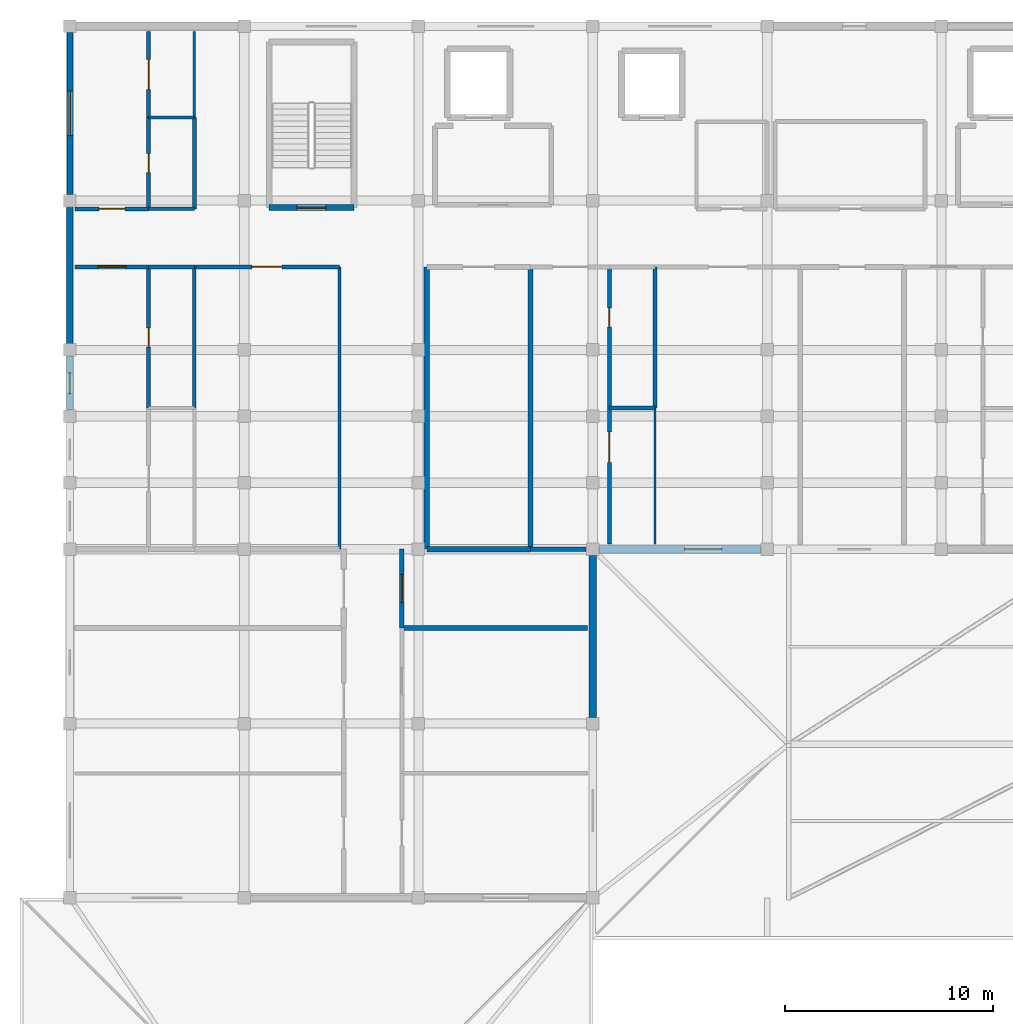
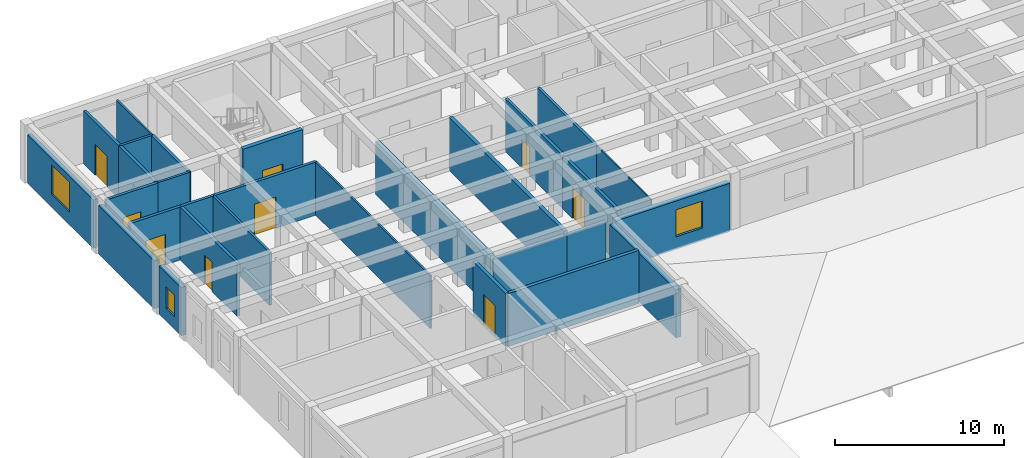
# One storey, part 15 of 42: 30 walls, 10 doors, 3 windows, 13 openings.
"""IFC4 building model written with IfcOpenShell, lengths in metres."""

from ifc_helpers import new_model, si_unit, direction, frame, frame_2d, origin, place, context, subcontext, project, spatial, rectangle, extrude, material, layer, layer_set, type_object, element, fill, save


model = new_model("IFC4")

# Units and contexts
model_context = context("Model", 3, precision=1e-05, world=origin(), true_north=direction((0.0, 1.0)))
body_context = subcontext(model_context, "Body", "Model", "MODEL_VIEW")
ifc_project = project(units=[si_unit("LENGTHUNIT", "METRE"), si_unit("AREAUNIT", "SQUARE_METRE"), si_unit("VOLUMEUNIT", "CUBIC_METRE"), si_unit("PLANEANGLEUNIT", "RADIAN"), si_unit("MASSUNIT", "GRAM", prefix="KILO")], contexts=[model_context])

# Site, building, storey
site_placement = place(None, origin())
site = spatial("IfcSite", under=ifc_project, at=site_placement, CompositionType="ELEMENT")
building_placement = place(site_placement, origin())
building = spatial("IfcBuilding", under=site, at=building_placement, Name="Varncliffe General Hospital", CompositionType="ELEMENT")
storey_placement = place(building_placement, frame((0.0, 0.0, 20.39990234375)))
storey = spatial("IfcBuildingStorey", under=building, at=storey_placement, Name="L04", CompositionType="ELEMENT", Elevation=20.39990234375)

# Wall
ifc_material_1 = material(Name="Precast concrete C40/50 with insulated cream lime-cement stucco", Category="concrete")
ifc_layer_1 = layer(ifc_material_1, 0.31005859375)
ifc_layer_set_1 = layer_set([ifc_layer_1], Name="Precast concrete C40/50 with insulated cream lime-cement stucco")
wall_type_1 = type_object("IfcWallType", Name="Exterior Insulated Stucco Wall EW20 (310mm)", PredefinedType="SOLIDWALL", material=ifc_layer_set_1)
wall_1_placement = place(storey_placement, frame((0.0, 109.498046875, 0.0), z_axis=(0.0, 0.0, 1.0), x_axis=(0.0, 1.0, 0.0)))
element("IfcWall", 1, at=wall_1_placement, inside=storey, type_object=wall_type_1, Name="L04 Exterior Stucco Wall EW20-345", PredefinedType="SOLIDWALL", context=body_context, shape_type="SweptSolid", body=[
    extrude(rectangle(XDim=6.60400390625, YDim=0.31005859375, at=frame_2d((3.302001953125, 0.0))), origin(), (0.0, 0.0, 1.0), 3.47998046875),
])

# Wall, opening, window
ifc_layer_2 = layer(ifc_material_1, 0.3798828125)
ifc_layer_set_2 = layer_set([ifc_layer_2], Name="Precast concrete C40/50 with insulated cream lime-cement stucco")
wall_type_2 = type_object("IfcWallType", Name="Exterior Insulated Stucco Wall EW26 (380mm)", PredefinedType="SOLIDWALL", material=ifc_layer_set_2)
wall_2_placement = place(storey_placement, frame((33.302001953125, 99.60009765625, 0.0), z_axis=(0.0, 0.0, 1.0), x_axis=(-1.0, 0.0, 0.0)))
wall_2 = element("IfcWall", 2, at=wall_2_placement, inside=storey, type_object=wall_type_2, Name="L04 Exterior Stucco Wall EW26-334", PredefinedType="SOLIDWALL", context=body_context, shape_type="SweptSolid", body=[
    extrude(rectangle(XDim=7.803955078125, YDim=0.3798828125, at=frame_2d((3.90185546875, 0.0))), origin(), (0.0, 0.0, 1.0), 3.47998046875),
])
opening_1_placement = place(wall_2_placement, frame((1.879150390625, 0.0, 0.89990234375)))
opening_1 = element("IfcOpeningElement", 3, at=opening_1_placement, cuts=wall_2, Name="Opening WN78", PredefinedType="OPENING", context=body_context, shape_type="SweptSolid", body=[
    extrude(rectangle(XDim=1.800048828125, YDim=1.949951171875, at=frame_2d((0.89990234375, 0.97509765625))), frame((0.0, 0.199951171875, 0.0), z_axis=(0.0, -1.0, 0.0), x_axis=(1.0, 0.0, 0.0)), (0.0, 0.0, 1.0), 0.39990234375),
])
ifc_material_2 = material(Name="Triple low-E argon insulated vision glazing", Category="glass")
window_type_1 = type_object("IfcWindowType", Name="Triple-Glazed Hospital Window WN78 (1800x1950)", PartitioningType="DOUBLE_PANEL_VERTICAL", PredefinedType="WINDOW", material=ifc_material_2)
window_1_placement = place(opening_1_placement, origin())
window_1 = element("IfcWindow", 4, at=window_1_placement, inside=storey, type_object=window_type_1, Name="L04 Hospital Window WN78-248", OverallHeight=1.949951171875, OverallWidth=1.800048828125, PartitioningType="DOUBLE_PANEL_VERTICAL", PredefinedType="WINDOW", context=body_context, shape_type="SweptSolid", body=[
    extrude(rectangle(XDim=1.800048828125, YDim=1.949951171875, at=frame_2d((0.89990234375, 0.97509765625))), frame((0.0, 0.030029296875, 0.0), z_axis=(0.0, -1.0, 0.0), x_axis=(1.0, 0.0, 0.0)), (0.0, 0.0, 1.0), 0.06005859375),
])
fill(opening_1, window_1)

ifc_layer_3 = layer(ifc_material_1, 0.2900390625)
ifc_layer_set_3 = layer_set([ifc_layer_3], Name="Precast concrete C40/50 with insulated cream lime-cement stucco")
wall_type_3 = type_object("IfcWallType", Name="Exterior Insulated Stucco Wall EW31 (290mm)", PredefinedType="SOLIDWALL", material=ifc_layer_set_3)
wall_3_placement = place(storey_placement, frame((0.0, 116.697998046875, 0.0), z_axis=(0.0, 0.0, 1.0), x_axis=(0.0, 1.0, 0.0)))
wall_3 = element("IfcWall", 5, at=wall_3_placement, inside=storey, type_object=wall_type_3, Name="L04 Exterior Stucco Wall EW31-346", PredefinedType="SOLIDWALL", context=body_context, shape_type="SweptSolid", body=[
    extrude(rectangle(XDim=7.803955078125, YDim=0.2900390625, at=frame_2d((3.90185546875, 0.0))), origin(), (0.0, 0.0, 1.0), 3.47998046875),
])
opening_2_placement = place(wall_3_placement, frame((2.826904296875, 0.0, 0.89990234375)))
opening_2 = element("IfcOpeningElement", 6, at=opening_2_placement, cuts=wall_3, Name="Opening WN57", PredefinedType="OPENING", context=body_context, shape_type="SweptSolid", body=[
    extrude(rectangle(XDim=2.14990234375, YDim=2.14990234375, at=frame_2d((1.074951171875, 1.074951171875))), frame((0.0, 0.155029296875, 0.0), z_axis=(0.0, -1.0, 0.0), x_axis=(1.0, 0.0, 0.0)), (0.0, 0.0, 1.0), 0.31005859375),
])
window_type_2 = type_object("IfcWindowType", Name="Triple-Glazed Hospital Window WN57 (2150x2150)", PartitioningType="DOUBLE_PANEL_VERTICAL", PredefinedType="WINDOW", material=ifc_material_2)
window_2_placement = place(opening_2_placement, origin())
window_2 = element("IfcWindow", 7, at=window_2_placement, inside=storey, type_object=window_type_2, Name="L04 Hospital Window WN57-257", OverallHeight=2.14990234375, OverallWidth=2.14990234375, PartitioningType="DOUBLE_PANEL_VERTICAL", PredefinedType="WINDOW", context=body_context, shape_type="SweptSolid", body=[
    extrude(rectangle(XDim=2.14990234375, YDim=2.14990234375, at=frame_2d((1.074951171875, 1.074951171875))), frame((0.0, 0.030029296875, 0.0), z_axis=(0.0, -1.0, 0.0), x_axis=(1.0, 0.0, 0.0)), (0.0, 0.0, 1.0), 0.06005859375),
])
fill(opening_2, window_2)

ifc_layer_4 = layer(ifc_material_1, 0.330078125)
ifc_layer_set_4 = layer_set([ifc_layer_4], Name="Precast concrete C40/50 with insulated cream lime-cement stucco")
wall_type_4 = type_object("IfcWallType", Name="Exterior Insulated Stucco Wall EW33 (330mm)", PredefinedType="SOLIDWALL", material=ifc_layer_set_4)
wall_4_placement = place(storey_placement, frame((0.0, 106.298095703125, 0.0), z_axis=(0.0, 0.0, 1.0), x_axis=(0.0, 1.0, 0.0)))
wall_4 = element("IfcWall", 8, at=wall_4_placement, inside=storey, type_object=wall_type_4, Name="L04 Exterior Stucco Wall EW33-344", PredefinedType="SOLIDWALL", context=body_context, shape_type="SweptSolid", body=[
    extrude(rectangle(XDim=2.60400390625, YDim=0.330078125, at=frame_2d((1.302001953125, 0.0))), origin(), (0.0, 0.0, 1.0), 3.47998046875),
])
opening_3_placement = place(wall_4_placement, frame((0.802001953125, 0.0, 0.89990234375)))
opening_3 = element("IfcOpeningElement", 9, at=opening_3_placement, cuts=wall_4, Name="Opening WN21", PredefinedType="OPENING", context=body_context, shape_type="SweptSolid", body=[
    extrude(rectangle(XDim=1.0, YDim=1.550048828125, at=frame_2d((0.5, 0.77490234375))), frame((0.0, 0.175048828125, 0.0), z_axis=(0.0, -1.0, 0.0), x_axis=(1.0, 0.0, 0.0)), (0.0, 0.0, 1.0), 0.35009765625),
])
window_type_3 = type_object("IfcWindowType", Name="Triple-Glazed Hospital Window WN21 (1000x1550)", PartitioningType="SINGLE_PANEL", PredefinedType="WINDOW", material=ifc_material_2)
window_3_placement = place(opening_3_placement, origin())
window_3 = element("IfcWindow", 10, at=window_3_placement, inside=storey, type_object=window_type_3, Name="L04 Hospital Window WN21-256", OverallHeight=1.550048828125, OverallWidth=1.0, PartitioningType="SINGLE_PANEL", PredefinedType="WINDOW", context=body_context, shape_type="SweptSolid", body=[
    extrude(rectangle(XDim=1.0, YDim=1.550048828125, at=frame_2d((0.5, 0.77490234375))), frame((0.0, 0.030029296875, 0.0), z_axis=(0.0, -1.0, 0.0), x_axis=(1.0, 0.0, 0.0)), (0.0, 0.0, 1.0), 0.06005859375),
])
fill(opening_3, window_3)

# Walls
ifc_layer_5 = layer(ifc_material_1, 0.35009765625)
ifc_layer_set_5 = layer_set([ifc_layer_5], Name="Precast concrete C40/50 with insulated cream lime-cement stucco")
wall_type_5 = type_object("IfcWallType", Name="Exterior Insulated Stucco Wall EW37 (350mm)", PredefinedType="SOLIDWALL", material=ifc_layer_set_5)
wall_5_placement = place(storey_placement, frame((25.199951171875, 99.302001953125, 0.0), z_axis=(0.0, 0.0, 1.0), x_axis=(0.0, -1.0, 0.0)))
element("IfcWall", 11, at=wall_5_placement, inside=storey, type_object=wall_type_5, Name="L04 Exterior Stucco Wall EW37-335", PredefinedType="SOLIDWALL", context=body_context, shape_type="SweptSolid", body=[
    extrude(rectangle(XDim=7.803955078125, YDim=0.35009765625, at=frame_2d((3.90185546875, 0.0))), origin(), (0.0, 0.0, 1.0), 3.47998046875),
])
ifc_material_3 = material(Name="Acoustic clinical gypsum stud partition assembly", Category="gypsum")
ifc_layer_6 = layer(ifc_material_3, 0.1298828125)
ifc_layer_set_6 = layer_set([ifc_layer_6], Name="Acoustic clinical gypsum stud partition assembly")
wall_type_6 = type_object("IfcWallType", Name="Interior Partitioning IW11 (130mm)", PredefinedType="PARTITIONING", material=ifc_layer_set_6)
wall_6_placement = place(storey_placement, frame((13.0, 99.60009765625, 0.0), z_axis=(0.0, 0.0, 1.0), x_axis=(0.0, 1.0, 0.0)))
element("IfcWall", 12, at=wall_6_placement, inside=storey, type_object=wall_type_6, Name="L04 Interior Partition Wall IW11-1848", PredefinedType="PARTITIONING", context=body_context, shape_type="SweptSolid", body=[
    extrude(rectangle(XDim=13.599853515625, YDim=0.1298828125, at=frame_2d((6.7998046875, 0.0))), origin(), (0.0, 0.0, 1.0), 3.820068359375),
])
ifc_layer_7 = layer(ifc_material_3, 0.090087890625)
ifc_layer_set_7 = layer_set([ifc_layer_7], Name="Acoustic clinical gypsum stud partition assembly")
wall_type_7 = type_object("IfcWallType", Name="Interior Partitioning IW42 (90mm)", PredefinedType="PARTITIONING", material=ifc_layer_set_7)
wall_7_placement = place(storey_placement, frame((28.199951171875, 99.860107421875, 0.0), z_axis=(0.0, 0.0, 1.0), x_axis=(0.0, 1.0, 0.0)))
element("IfcWall", 13, at=wall_7_placement, inside=storey, type_object=wall_type_7, Name="L04 Interior Partition Wall IW42-1861", PredefinedType="PARTITIONING", context=body_context, shape_type="SweptSolid", body=[
    extrude(rectangle(XDim=6.539794921875, YDim=0.090087890625, at=frame_2d((3.27001953125, 0.0))), origin(), (0.0, 0.0, 1.0), 3.820068359375),
])
ifc_layer_8 = layer(ifc_material_3, 0.110107421875)
ifc_layer_set_8 = layer_set([ifc_layer_8], Name="Acoustic clinical gypsum stud partition assembly")
wall_type_8 = type_object("IfcWallType", Name="Interior Partitioning IW65 (110mm)", PredefinedType="PARTITIONING", material=ifc_layer_set_8)
wall_8_placement = place(storey_placement, frame((6.0, 120.39990234375, 0.0), z_axis=(0.0, 0.0, 1.0), x_axis=(0.0, 1.0, 0.0)))
element("IfcWall", 14, at=wall_8_placement, inside=storey, type_object=wall_type_8, Name="L04 Interior Partition Wall IW65-1847", PredefinedType="PARTITIONING", context=body_context, shape_type="SweptSolid", body=[
    extrude(rectangle(XDim=4.14013671875, YDim=0.110107421875, at=frame_2d((2.070068359375, 0.0))), origin(), (0.0, 0.0, 1.0), 3.820068359375),
])
ifc_material_4 = material(Name="Fire-rated gypsum and mineral-wool partition assembly", Category="gypsum")
ifc_layer_9 = layer(ifc_material_4, 0.25)
ifc_layer_set_9 = layer_set([ifc_layer_9], Name="Fire-rated gypsum and mineral-wool partition assembly")
wall_type_9 = type_object("IfcWallType", Name="Interior Partitioning PW38 (250mm)", PredefinedType="PARTITIONING", material=ifc_layer_set_9)
wall_9_placement = place(storey_placement, frame((17.199951171875, 99.60009765625, 0.0), z_axis=(0.0, 0.0, 1.0), x_axis=(1.0, 0.0, 0.0)))
element("IfcWall", 15, at=wall_9_placement, inside=storey, type_object=wall_type_9, Name="L04 Interior Partition Wall PW38-1739", PredefinedType="PARTITIONING", context=body_context, shape_type="SweptSolid", body=[
    extrude(rectangle(XDim=5.0, YDim=0.25, at=frame_2d((2.5, 0.0))), origin(), (0.0, 0.0, 1.0), 3.585205078125),
])
for number, where, z_axis, x_axis, name in (
    (16, (17.199951171875, 99.60009765625, 0.0), (0.0, 0.0, 1.0), (0.0, 1.0, 0.0), "L04 Interior Partition Wall PW38-1855"),
    (17, (22.199951171875, 99.60009765625, 0.0), (0.0, 0.0, 1.0), (0.0, 1.0, 0.0), "L04 Interior Partition Wall PW38-1857"),
):
    element("IfcWall", number, at=place(storey_placement, frame(where, z_axis=z_axis, x_axis=x_axis)), inside=storey, type_object=wall_type_9, Name=name, PredefinedType="PARTITIONING", context=body_context, shape_type="SweptSolid", body=[
        extrude(rectangle(XDim=13.599853515625, YDim=0.25, at=frame_2d((6.7998046875, 0.0))), origin(), (0.0, 0.0, 1.0), 3.820068359375),
    ])
ifc_layer_10 = layer(ifc_material_4, 0.22998046875)
ifc_layer_set_10 = layer_set([ifc_layer_10], Name="Fire-rated gypsum and mineral-wool partition assembly")
wall_type_10 = type_object("IfcWallType", Name="Interior Partitioning PW48 (230mm)", PredefinedType="PARTITIONING", material=ifc_layer_set_10)
wall_10_placement = place(storey_placement, frame((16.0, 95.800048828125, 0.0), z_axis=(0.0, 0.0, 1.0), x_axis=(1.0, 0.0, 0.0)))
element("IfcWall", 18, at=wall_10_placement, inside=storey, type_object=wall_type_10, Name="L04 Interior Partition Wall PW48-1732", PredefinedType="PARTITIONING", context=body_context, shape_type="SweptSolid", body=[
    extrude(rectangle(XDim=8.93994140625, YDim=0.22998046875, at=frame_2d((4.469970703125, 0.0))), origin(), (0.0, 0.0, 1.0), 3.820068359375),
])
wall_11_placement = place(storey_placement, frame((22.199951171875, 99.60009765625, 0.0), z_axis=(0.0, 0.0, 1.0), x_axis=(1.0, 0.0, 0.0)))
element("IfcWall", 19, at=wall_11_placement, inside=storey, type_object=wall_type_10, Name="L04 Interior Partition Wall PW48-1740", PredefinedType="PARTITIONING", context=body_context, shape_type="SweptSolid", body=[
    extrude(rectangle(XDim=2.68505859375, YDim=0.22998046875, at=frame_2d((1.342529296875, 0.0))), origin(), (0.0, 0.0, 1.0), 3.585205078125),
])

# Wall, opening, door
wall_12_placement = place(storey_placement, frame((16.0, 95.800048828125, 0.0), z_axis=(0.0, 0.0, 1.0), x_axis=(0.0, 1.0, 0.0)))
wall_12 = element("IfcWall", 20, at=wall_12_placement, inside=storey, type_object=wall_type_10, Name="L04 Interior Partition Wall PW48-1854", PredefinedType="PARTITIONING", context=body_context, shape_type="SweptSolid", body=[
    extrude(rectangle(XDim=3.800048828125, YDim=0.22998046875, at=frame_2d((1.89990234375, 0.0))), origin(), (0.0, 0.0, 1.0), 3.820068359375),
])
opening_4_placement = place(wall_12_placement, frame((1.22509765625, 0.0, 0.0)))
opening_4 = element("IfcOpeningElement", 21, at=opening_4_placement, cuts=wall_12, Name="Opening DC85", PredefinedType="OPENING", context=body_context, shape_type="SweptSolid", body=[
    extrude(rectangle(XDim=1.35009765625, YDim=2.199951171875, at=frame_2d((0.675048828125, 1.10009765625))), frame((0.0, 0.125, 0.0), z_axis=(0.0, -1.0, 0.0), x_axis=(1.0, 0.0, 0.0)), (0.0, 0.0, 1.0), 0.25),
])
ifc_material_5 = material(Name="Fire-rated hospital steel-frame vision-panel door", Category="steel")
door_type_1 = type_object("IfcDoorType", Name="Interior Hospital Door DC85 (1350x2200)", OperationType="NOTDEFINED", PredefinedType="DOOR", material=ifc_material_5)
door_1_placement = place(opening_4_placement, frame((1.35009765625, 0.0, 0.0), z_axis=(0.0, 0.0, 1.0), x_axis=(-1.0, 0.0, 0.0)))
door_1 = element("IfcDoor", 22, at=door_1_placement, inside=storey, type_object=door_type_1, Name="L04 Ward Soiled Utility Store 128 Door", OperationType="SINGLE_SWING_LEFT", OverallHeight=2.199951171875, OverallWidth=1.35009765625, PredefinedType="DOOR", context=body_context, shape_type="SweptSolid", body=[
    extrude(rectangle(XDim=1.35009765625, YDim=2.199951171875, at=frame_2d((0.675048828125, 1.10009765625))), frame((0.0, 0.02490234375, 0.0), z_axis=(0.0, -1.0, 0.0), x_axis=(1.0, 0.0, 0.0)), (0.0, 0.0, 1.0), 0.050048828125),
])
fill(opening_4, door_1)

ifc_layer_11 = layer(ifc_material_4, 0.199951171875)
ifc_layer_set_11 = layer_set([ifc_layer_11], Name="Fire-rated gypsum and mineral-wool partition assembly")
wall_type_11 = type_object("IfcWallType", Name="Interior Partitioning PW63 (200mm)", PredefinedType="PARTITIONING", material=ifc_layer_set_11)
wall_13_placement = place(storey_placement, frame((0.260009765625, 113.199951171875, 0.0), z_axis=(0.0, 0.0, 1.0), x_axis=(1.0, 0.0, 0.0)))
wall_13 = element("IfcWall", 23, at=wall_13_placement, inside=storey, type_object=wall_type_11, Name="L04 Interior Partition Wall PW63-1785", PredefinedType="PARTITIONING", context=body_context, shape_type="SweptSolid", body=[
    extrude(rectangle(XDim=3.5400390625, YDim=0.199951171875, at=frame_2d((1.77001953125, 0.0))), origin(), (0.0, 0.0, 1.0), 3.820068359375),
])
opening_5_placement = place(wall_13_placement, frame((1.094970703125, 0.0, 0.0)))
opening_5 = element("IfcOpeningElement", 24, at=opening_5_placement, cuts=wall_13, Name="Opening DC85", PredefinedType="OPENING", context=body_context, shape_type="SweptSolid", body=[
    extrude(rectangle(XDim=1.35009765625, YDim=2.199951171875, at=frame_2d((0.675048828125, 1.10009765625))), frame((0.0, 0.10986328125, 0.0), z_axis=(0.0, -1.0, 0.0), x_axis=(1.0, 0.0, 0.0)), (0.0, 0.0, 1.0), 0.219970703125),
])
door_2_placement = place(opening_5_placement, frame((1.35009765625, 0.0, 0.0), z_axis=(0.0, 0.0, 1.0), x_axis=(-1.0, 0.0, 0.0)))
door_2 = element("IfcDoor", 25, at=door_2_placement, inside=storey, type_object=door_type_1, Name="L04 Cardiology Telemetry Inpatient Room 79 Door", OperationType="SINGLE_SWING_LEFT", OverallHeight=2.199951171875, OverallWidth=1.35009765625, PredefinedType="DOOR", context=body_context, shape_type="SweptSolid", body=[
    extrude(rectangle(XDim=1.35009765625, YDim=2.199951171875, at=frame_2d((0.675048828125, 1.10009765625))), frame((0.0, 0.02490234375, 0.0), z_axis=(0.0, -1.0, 0.0), x_axis=(1.0, 0.0, 0.0)), (0.0, 0.0, 1.0), 0.050048828125),
])
fill(opening_5, door_2)

wall_14_placement = place(storey_placement, frame((6.0, 113.199951171875, 0.0), z_axis=(0.0, 0.0, 1.0), x_axis=(1.0, 0.0, 0.0)))
wall_14 = element("IfcWall", 26, at=wall_14_placement, inside=storey, type_object=wall_type_11, Name="L04 Interior Partition Wall PW63-1787", PredefinedType="PARTITIONING", context=body_context, shape_type="SweptSolid", body=[
    extrude(rectangle(XDim=7.0, YDim=0.199951171875, at=frame_2d((3.5, 0.0))), origin(), (0.0, 0.0, 1.0), 3.820068359375),
])
opening_6_placement = place(wall_14_placement, frame((2.77490234375, 0.0, 0.0)))
opening_6 = element("IfcOpeningElement", 27, at=opening_6_placement, cuts=wall_14, Name="Opening DC66", PredefinedType="OPENING", context=body_context, shape_type="SweptSolid", body=[
    extrude(rectangle(XDim=1.449951171875, YDim=2.25, at=frame_2d((0.72509765625, 1.125))), frame((0.0, 0.10986328125, 0.0), z_axis=(0.0, -1.0, 0.0), x_axis=(1.0, 0.0, 0.0)), (0.0, 0.0, 1.0), 0.219970703125),
])
door_type_2 = type_object("IfcDoorType", Name="Interior Hospital Door DC66 (1450x2250)", OperationType="NOTDEFINED", PredefinedType="DOOR", material=ifc_material_5)
door_3_placement = place(opening_6_placement, frame((1.449951171875, 0.0, 0.0), z_axis=(0.0, 0.0, 1.0), x_axis=(-1.0, 0.0, 0.0)))
door_3 = element("IfcDoor", 28, at=door_3_placement, inside=storey, type_object=door_type_2, Name="L04 Telemetry Central Monitoring Station 82 Door", OperationType="SINGLE_SWING_RIGHT", OverallHeight=2.25, OverallWidth=1.449951171875, PredefinedType="DOOR", context=body_context, shape_type="SweptSolid", body=[
    extrude(rectangle(XDim=1.449951171875, YDim=2.25, at=frame_2d((0.72509765625, 1.125))), frame((0.0, 0.02490234375, 0.0), z_axis=(0.0, -1.0, 0.0), x_axis=(1.0, 0.0, 0.0)), (0.0, 0.0, 1.0), 0.050048828125),
])
fill(opening_6, door_3)

wall_15_placement = place(storey_placement, frame((0.260009765625, 116.0, 0.0), z_axis=(0.0, 0.0, 1.0), x_axis=(1.0, 0.0, 0.0)))
wall_15 = element("IfcWall", 29, at=wall_15_placement, inside=storey, type_object=wall_type_11, Name="L04 Interior Partition Wall PW63-1810", PredefinedType="PARTITIONING", context=body_context, shape_type="SweptSolid", body=[
    extrude(rectangle(XDim=3.5400390625, YDim=0.199951171875, at=frame_2d((1.77001953125, 0.0))), origin(), (0.0, 0.0, 1.0), 3.820068359375),
])
opening_7_placement = place(wall_15_placement, frame((1.14501953125, 0.0, 0.0)))
opening_7 = element("IfcOpeningElement", 30, at=opening_7_placement, cuts=wall_15, Name="Opening DC44", PredefinedType="OPENING", context=body_context, shape_type="SweptSolid", body=[
    extrude(rectangle(XDim=1.25, YDim=2.14990234375, at=frame_2d((0.625, 1.074951171875))), frame((0.0, 0.10986328125, 0.0), z_axis=(0.0, -1.0, 0.0), x_axis=(1.0, 0.0, 0.0)), (0.0, 0.0, 1.0), 0.219970703125),
])
door_type_3 = type_object("IfcDoorType", Name="Interior Hospital Door DC44 (1250x2150)", OperationType="NOTDEFINED", PredefinedType="DOOR", material=ifc_material_5)
door_4_placement = place(opening_7_placement, origin())
door_4 = element("IfcDoor", 31, at=door_4_placement, inside=storey, type_object=door_type_3, Name="L04 Cardiology Telemetry Inpatient Room 110 Door", OperationType="SINGLE_SWING_RIGHT", OverallHeight=2.14990234375, OverallWidth=1.25, PredefinedType="DOOR", context=body_context, shape_type="SweptSolid", body=[
    extrude(rectangle(XDim=1.25, YDim=2.14990234375, at=frame_2d((0.625, 1.074951171875))), frame((0.0, 0.02490234375, 0.0), z_axis=(0.0, -1.0, 0.0), x_axis=(1.0, 0.0, 0.0)), (0.0, 0.0, 1.0), 0.050048828125),
])
fill(opening_7, door_4)

wall_16_placement = place(storey_placement, frame((3.800048828125, 106.39990234375, 0.0), z_axis=(0.0, 0.0, 1.0), x_axis=(0.0, 1.0, 0.0)))
wall_16 = element("IfcWall", 32, at=wall_16_placement, inside=storey, type_object=wall_type_11, Name="L04 Interior Partition Wall PW63-1841", PredefinedType="PARTITIONING", context=body_context, shape_type="SweptSolid", body=[
    extrude(rectangle(XDim=6.800048828125, YDim=0.199951171875, at=frame_2d((3.39990234375, 0.0))), origin(), (0.0, 0.0, 1.0), 3.820068359375),
])
opening_8_placement = place(wall_16_placement, frame((2.93994140625, 0.0, 0.0)))
opening_8 = element("IfcOpeningElement", 33, at=opening_8_placement, cuts=wall_16, Name="Opening DI70", PredefinedType="OPENING", context=body_context, shape_type="SweptSolid", body=[
    extrude(rectangle(XDim=0.919921875, YDim=2.10009765625, at=frame_2d((0.4599609375, 1.050048828125))), frame((0.0, 0.10986328125, 0.0), z_axis=(0.0, -1.0, 0.0), x_axis=(1.0, 0.0, 0.0)), (0.0, 0.0, 1.0), 0.219970703125),
])
ifc_material_6 = material(Name="Solid-core antimicrobial hospital oak veneer door", Category="wood")
door_type_4 = type_object("IfcDoorType", Name="Interior Hospital Door DI70 (920x2100)", OperationType="NOTDEFINED", PredefinedType="DOOR", material=ifc_material_6)
door_5_placement = place(opening_8_placement, frame((0.919921875, 0.0, 0.0), z_axis=(0.0, 0.0, 1.0), x_axis=(-1.0, 0.0, 0.0)))
door_5 = element("IfcDoor", 34, at=door_5_placement, inside=storey, type_object=door_type_4, Name="L04 En-Suite Bathroom 80 Door", OperationType="SINGLE_SWING_LEFT", OverallHeight=2.10009765625, OverallWidth=0.919921875, PredefinedType="DOOR", context=body_context, shape_type="SweptSolid", body=[
    extrude(rectangle(XDim=0.919921875, YDim=2.10009765625, at=frame_2d((0.4599609375, 1.050048828125))), frame((0.0, 0.02490234375, 0.0), z_axis=(0.0, -1.0, 0.0), x_axis=(1.0, 0.0, 0.0)), (0.0, 0.0, 1.0), 0.050048828125),
])
fill(opening_8, door_5)

wall_17_placement = place(storey_placement, frame((3.800048828125, 116.0, 0.0), z_axis=(0.0, 0.0, 1.0), x_axis=(0.0, 1.0, 0.0)))
wall_17 = element("IfcWall", 35, at=wall_17_placement, inside=storey, type_object=wall_type_11, Name="L04 Interior Partition Wall PW63-1842", PredefinedType="PARTITIONING", context=body_context, shape_type="SweptSolid", body=[
    extrude(rectangle(XDim=4.39990234375, YDim=0.199951171875, at=frame_2d((2.199951171875, 0.0))), origin(), (0.0, 0.0, 1.0), 3.820068359375),
])
opening_9_placement = place(wall_17_placement, frame((1.739990234375, 0.0, 0.0)))
opening_9 = element("IfcOpeningElement", 36, at=opening_9_placement, cuts=wall_17, Name="Opening DI70", PredefinedType="OPENING", context=body_context, shape_type="SweptSolid", body=[
    extrude(rectangle(XDim=0.919921875, YDim=2.10009765625, at=frame_2d((0.4599609375, 1.050048828125))), frame((0.0, 0.10986328125, 0.0), z_axis=(0.0, -1.0, 0.0), x_axis=(1.0, 0.0, 0.0)), (0.0, 0.0, 1.0), 0.219970703125),
])
door_6_placement = place(opening_9_placement, frame((0.919921875, 0.0, 0.0), z_axis=(0.0, 0.0, 1.0), x_axis=(-1.0, 0.0, 0.0)))
door_6 = element("IfcDoor", 37, at=door_6_placement, inside=storey, type_object=door_type_4, Name="L04 En-Suite Bathroom 111 Door", OperationType="SINGLE_SWING_RIGHT", OverallHeight=2.10009765625, OverallWidth=0.919921875, PredefinedType="DOOR", context=body_context, shape_type="SweptSolid", body=[
    extrude(rectangle(XDim=0.919921875, YDim=2.10009765625, at=frame_2d((0.4599609375, 1.050048828125))), frame((0.0, 0.02490234375, 0.0), z_axis=(0.0, -1.0, 0.0), x_axis=(1.0, 0.0, 0.0)), (0.0, 0.0, 1.0), 0.050048828125),
])
fill(opening_9, door_6)

wall_18_placement = place(storey_placement, frame((3.800048828125, 120.39990234375, 0.0), z_axis=(0.0, 0.0, 1.0), x_axis=(0.0, 1.0, 0.0)))
wall_18 = element("IfcWall", 38, at=wall_18_placement, inside=storey, type_object=wall_type_11, Name="L04 Interior Partition Wall PW63-1843", PredefinedType="PARTITIONING", context=body_context, shape_type="SweptSolid", body=[
    extrude(rectangle(XDim=4.14013671875, YDim=0.199951171875, at=frame_2d((2.070068359375, 0.0))), origin(), (0.0, 0.0, 1.0), 3.820068359375),
])
opening_10_placement = place(wall_18_placement, frame((1.344970703125, 0.0, 0.0)))
opening_10 = element("IfcOpeningElement", 39, at=opening_10_placement, cuts=wall_18, Name="Opening DC66", PredefinedType="OPENING", context=body_context, shape_type="SweptSolid", body=[
    extrude(rectangle(XDim=1.449951171875, YDim=2.25, at=frame_2d((0.72509765625, 1.125))), frame((0.0, 0.10986328125, 0.0), z_axis=(0.0, -1.0, 0.0), x_axis=(1.0, 0.0, 0.0)), (0.0, 0.0, 1.0), 0.219970703125),
])
door_7_placement = place(opening_10_placement, frame((1.449951171875, 0.0, 0.0), z_axis=(0.0, 0.0, 1.0), x_axis=(-1.0, 0.0, 0.0)))
door_7 = element("IfcDoor", 40, at=door_7_placement, inside=storey, type_object=door_type_2, Name="L04 Patient Medication and Hygiene Bay 112 Door", OperationType="SINGLE_SWING_LEFT", OverallHeight=2.25, OverallWidth=1.449951171875, PredefinedType="DOOR", context=body_context, shape_type="SweptSolid", body=[
    extrude(rectangle(XDim=1.449951171875, YDim=2.25, at=frame_2d((0.72509765625, 1.125))), frame((0.0, 0.02490234375, 0.0), z_axis=(0.0, -1.0, 0.0), x_axis=(1.0, 0.0, 0.0)), (0.0, 0.0, 1.0), 0.050048828125),
])
fill(opening_10, door_7)

wall_19_placement = place(storey_placement, frame((26.0, 99.860107421875, 0.0), z_axis=(0.0, 0.0, 1.0), x_axis=(0.0, 1.0, 0.0)))
wall_19 = element("IfcWall", 41, at=wall_19_placement, inside=storey, type_object=wall_type_11, Name="L04 Interior Partition Wall PW63-1859", PredefinedType="PARTITIONING", context=body_context, shape_type="SweptSolid", body=[
    extrude(rectangle(XDim=6.539794921875, YDim=0.199951171875, at=frame_2d((3.27001953125, 0.0))), origin(), (0.0, 0.0, 1.0), 3.820068359375),
])
opening_11_placement = place(wall_19_placement, frame((3.927978515625, 0.0, 0.0)))
opening_11 = element("IfcOpeningElement", 42, at=opening_11_placement, cuts=wall_19, Name="Opening DC66", PredefinedType="OPENING", context=body_context, shape_type="SweptSolid", body=[
    extrude(rectangle(XDim=1.449951171875, YDim=2.25, at=frame_2d((0.72509765625, 1.125))), frame((0.0, 0.10986328125, 0.0), z_axis=(0.0, -1.0, 0.0), x_axis=(1.0, 0.0, 0.0)), (0.0, 0.0, 1.0), 0.219970703125),
])
door_8_placement = place(opening_11_placement, frame((1.449951171875, 0.0, 0.0), z_axis=(0.0, 0.0, 1.0), x_axis=(-1.0, 0.0, 0.0)))
door_8 = element("IfcDoor", 43, at=door_8_placement, inside=storey, type_object=door_type_2, Name="L04 Patient Medication and Hygiene Bay 86 Door", OperationType="SINGLE_SWING_RIGHT", OverallHeight=2.25, OverallWidth=1.449951171875, PredefinedType="DOOR", context=body_context, shape_type="SweptSolid", body=[
    extrude(rectangle(XDim=1.449951171875, YDim=2.25, at=frame_2d((0.72509765625, 1.125))), frame((0.0, 0.02490234375, 0.0), z_axis=(0.0, -1.0, 0.0), x_axis=(1.0, 0.0, 0.0)), (0.0, 0.0, 1.0), 0.050048828125),
])
fill(opening_11, door_8)

wall_20_placement = place(storey_placement, frame((26.0, 106.39990234375, 0.0), z_axis=(0.0, 0.0, 1.0), x_axis=(0.0, 1.0, 0.0)))
wall_20 = element("IfcWall", 44, at=wall_20_placement, inside=storey, type_object=wall_type_11, Name="L04 Interior Partition Wall PW63-1860", PredefinedType="PARTITIONING", context=body_context, shape_type="SweptSolid", body=[
    extrude(rectangle(XDim=6.800048828125, YDim=0.199951171875, at=frame_2d((3.39990234375, 0.0))), origin(), (0.0, 0.0, 1.0), 3.820068359375),
])
opening_12_placement = place(wall_20_placement, frame((3.912109375, 0.0, 0.0)))
opening_12 = element("IfcOpeningElement", 45, at=opening_12_placement, cuts=wall_20, Name="Opening DI70", PredefinedType="OPENING", context=body_context, shape_type="SweptSolid", body=[
    extrude(rectangle(XDim=0.919921875, YDim=2.10009765625, at=frame_2d((0.4599609375, 1.050048828125))), frame((0.0, 0.10986328125, 0.0), z_axis=(0.0, -1.0, 0.0), x_axis=(1.0, 0.0, 0.0)), (0.0, 0.0, 1.0), 0.219970703125),
])
door_9_placement = place(opening_12_placement, frame((0.919921875, 0.0, 0.0), z_axis=(0.0, 0.0, 1.0), x_axis=(-1.0, 0.0, 0.0)))
door_9 = element("IfcDoor", 46, at=door_9_placement, inside=storey, type_object=door_type_4, Name="L04 En-Suite Bathroom 85 Door", OperationType="SINGLE_SWING_LEFT", OverallHeight=2.10009765625, OverallWidth=0.919921875, PredefinedType="DOOR", context=body_context, shape_type="SweptSolid", body=[
    extrude(rectangle(XDim=0.919921875, YDim=2.10009765625, at=frame_2d((0.4599609375, 1.050048828125))), frame((0.0, 0.02490234375, 0.0), z_axis=(0.0, -1.0, 0.0), x_axis=(1.0, 0.0, 0.0)), (0.0, 0.0, 1.0), 0.050048828125),
])
fill(opening_12, door_9)

# Walls
ifc_material_7 = material(Name="Moisture-resistant plumbing chase wall assembly", Category="gypsum")
ifc_layer_12 = layer(ifc_material_7, 0.18994140625)
ifc_layer_set_12 = layer_set([ifc_layer_12], Name="Moisture-resistant plumbing chase wall assembly")
wall_type_12 = type_object("IfcWallType", Name="Interior Plumbingwall MW17 (190mm)", PredefinedType="PLUMBINGWALL", material=ifc_layer_set_12)
for number, where, z_axis, x_axis, name in (
    (47, (26.0, 106.39990234375, 0.0), (0.0, 0.0, 1.0), (1.0, 0.0, 0.0), "L04 Interior Plumbing Wall MW17-1780"),
    (48, (3.800048828125, 113.199951171875, 0.0), (0.0, 0.0, 1.0), (1.0, 0.0, 0.0), "L04 Interior Plumbing Wall MW17-1786"),
):
    element("IfcWall", number, at=place(storey_placement, frame(where, z_axis=z_axis, x_axis=x_axis)), inside=storey, type_object=wall_type_12, Name=name, PredefinedType="PLUMBINGWALL", context=body_context, shape_type="SweptSolid", body=[
        extrude(rectangle(XDim=2.199951171875, YDim=0.18994140625, at=frame_2d((1.10009765625, 0.0))), origin(), (0.0, 0.0, 1.0), 3.820068359375),
    ])
wall_21_placement = place(storey_placement, frame((6.0, 116.0, 0.0), z_axis=(0.0, 0.0, 1.0), x_axis=(0.0, 1.0, 0.0)))
element("IfcWall", 49, at=wall_21_placement, inside=storey, type_object=wall_type_12, Name="L04 Interior Plumbing Wall MW17-1846", PredefinedType="PLUMBINGWALL", context=body_context, shape_type="SweptSolid", body=[
    extrude(rectangle(XDim=4.39990234375, YDim=0.18994140625, at=frame_2d((2.199951171875, 0.0))), origin(), (0.0, 0.0, 1.0), 3.820068359375),
])
wall_22_placement = place(storey_placement, frame((28.199951171875, 106.39990234375, 0.0), z_axis=(0.0, 0.0, 1.0), x_axis=(0.0, 1.0, 0.0)))
element("IfcWall", 50, at=wall_22_placement, inside=storey, type_object=wall_type_12, Name="L04 Interior Plumbing Wall MW17-1862", PredefinedType="PLUMBINGWALL", context=body_context, shape_type="SweptSolid", body=[
    extrude(rectangle(XDim=6.800048828125, YDim=0.18994140625, at=frame_2d((3.39990234375, 0.0))), origin(), (0.0, 0.0, 1.0), 3.820068359375),
])
ifc_layer_13 = layer(ifc_material_7, 0.159912109375)
ifc_layer_set_13 = layer_set([ifc_layer_13], Name="Moisture-resistant plumbing chase wall assembly")
wall_type_13 = type_object("IfcWallType", Name="Interior Plumbingwall MW31 (160mm)", PredefinedType="PLUMBINGWALL", material=ifc_layer_set_13)
for number, where, z_axis, x_axis, name in (
    (51, (3.800048828125, 116.0, 0.0), (0.0, 0.0, 1.0), (1.0, 0.0, 0.0), "L04 Interior Plumbing Wall MW31-1811"),
    (52, (3.800048828125, 120.39990234375, 0.0), (0.0, 0.0, 1.0), (1.0, 0.0, 0.0), "L04 Interior Plumbing Wall MW31-1837"),
):
    element("IfcWall", number, at=place(storey_placement, frame(where, z_axis=z_axis, x_axis=x_axis)), inside=storey, type_object=wall_type_13, Name=name, PredefinedType="PLUMBINGWALL", context=body_context, shape_type="SweptSolid", body=[
        extrude(rectangle(XDim=2.199951171875, YDim=0.159912109375, at=frame_2d((1.10009765625, 0.0))), origin(), (0.0, 0.0, 1.0), 3.820068359375),
    ])
wall_23_placement = place(storey_placement, frame((6.0, 106.39990234375, 0.0), z_axis=(0.0, 0.0, 1.0), x_axis=(0.0, 1.0, 0.0)))
element("IfcWall", 53, at=wall_23_placement, inside=storey, type_object=wall_type_13, Name="L04 Interior Plumbing Wall MW31-1845", PredefinedType="PLUMBINGWALL", context=body_context, shape_type="SweptSolid", body=[
    extrude(rectangle(XDim=6.800048828125, YDim=0.159912109375, at=frame_2d((3.39990234375, 0.0))), origin(), (0.0, 0.0, 1.0), 3.820068359375),
])

# Wall, opening, door
ifc_material_8 = material(Name="Concrete C40/50 (CSA A23.1 40 MPa)", Category="concrete")
ifc_layer_14 = layer(ifc_material_8, 0.280029296875)
ifc_layer_set_14 = layer_set([ifc_layer_14], Name="Concrete C40/50 (CSA A23.1 40 MPa)")
wall_type_14 = type_object("IfcWallType", Name="Reinforced Concrete Core Shear Wall CW13 (280mm)", PredefinedType="SHEAR", material=ifc_layer_set_14)
wall_24_placement = place(storey_placement, frame((9.610107421875, 116.06005859375, 0.0), z_axis=(0.0, 0.0, 1.0), x_axis=(1.0, 0.0, 0.0)))
wall_24 = element("IfcWall", 54, at=wall_24_placement, inside=storey, type_object=wall_type_14, Name="L04 ST01 Core Shear Wall N", PredefinedType="SHEAR", context=body_context, shape_type="SweptSolid", body=[
    extrude(rectangle(XDim=4.079833984375, YDim=0.280029296875, at=frame_2d((2.0400390625, 0.0))), origin(), (0.0, 0.0, 1.0), 4.2001953125),
])
opening_13_placement = place(wall_24_placement, frame((1.340087890625, 0.0, 0.0)))
opening_13 = element("IfcOpeningElement", 55, at=opening_13_placement, cuts=wall_24, Name="Opening DF81", PredefinedType="OPENING", context=body_context, shape_type="SweptSolid", body=[
    extrude(rectangle(XDim=1.39990234375, YDim=2.199951171875, at=frame_2d((0.699951171875, 1.10009765625))), frame((0.0, 0.14990234375, 0.0), z_axis=(0.0, -1.0, 0.0), x_axis=(1.0, 0.0, 0.0)), (0.0, 0.0, 1.0), 0.300048828125),
])
door_type_5 = type_object("IfcDoorType", Name="Interior Hospital Door DF81 (1400x2200)", OperationType="NOTDEFINED", PredefinedType="DOOR", material=ifc_material_5)
door_10_placement = place(opening_13_placement, frame((1.39990234375, 0.0, 0.0), z_axis=(0.0, 0.0, 1.0), x_axis=(-1.0, 0.0, 0.0)))
door_10 = element("IfcDoor", 56, at=door_10_placement, inside=storey, type_object=door_type_5, Name="L04 ST01 Protected Exit Stair Door", OperationType="SINGLE_SWING_RIGHT", OverallHeight=2.199951171875, OverallWidth=1.39990234375, PredefinedType="DOOR", context=body_context, shape_type="SweptSolid", body=[
    extrude(rectangle(XDim=1.39990234375, YDim=2.199951171875, at=frame_2d((0.699951171875, 1.10009765625))), frame((0.0, 0.02490234375, 0.0), z_axis=(0.0, -1.0, 0.0), x_axis=(1.0, 0.0, 0.0)), (0.0, 0.0, 1.0), 0.050048828125),
])
fill(opening_13, door_10)

save(model, "model.ifc")
